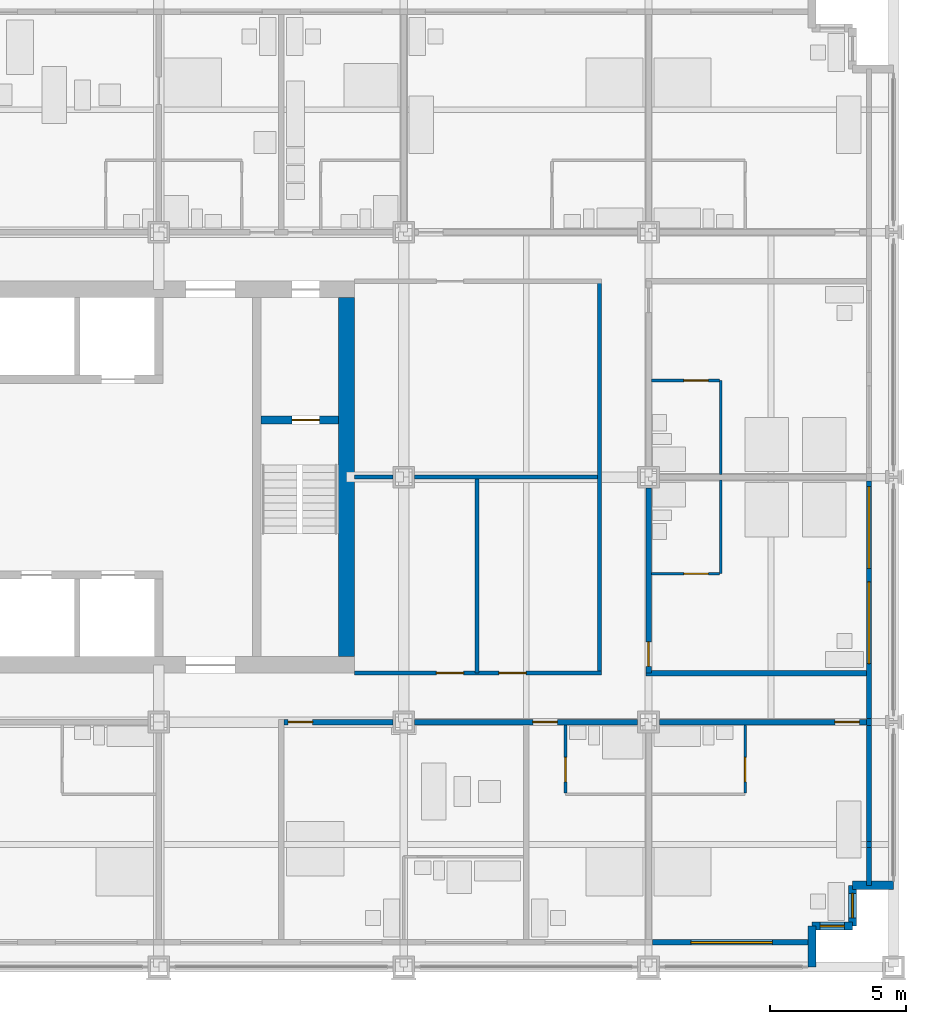
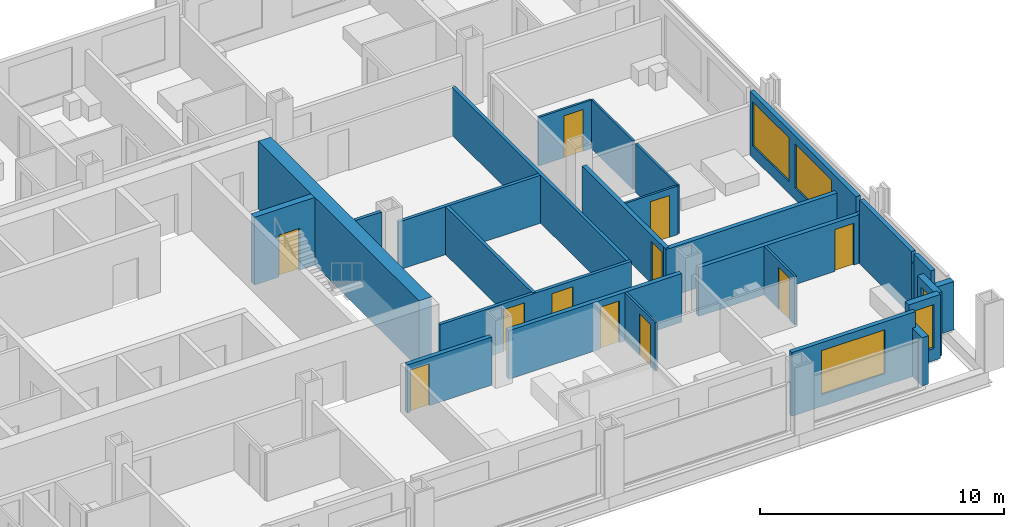
# One storey, part 13 of 18: 28 walls, 11 doors, 5 windows, 16 openings.
"""IFC4 building model written with IfcOpenShell, lengths in metres."""

from ifc_helpers import new_model, si_unit, direction, frame, frame_2d, origin, place, context, subcontext, project, spatial, rectangle, extrude, material, layer, layer_set, type_object, element, fill, save


model = new_model("IFC4")

# Units and contexts
model_context = context("Model", 3, precision=1e-05, world=origin(), true_north=direction((0.0, 1.0)))
body_context = subcontext(model_context, "Body", "Model", "MODEL_VIEW")
ifc_project = project(units=[si_unit("LENGTHUNIT", "METRE"), si_unit("AREAUNIT", "SQUARE_METRE"), si_unit("VOLUMEUNIT", "CUBIC_METRE"), si_unit("PLANEANGLEUNIT", "RADIAN"), si_unit("MASSUNIT", "GRAM", prefix="KILO")], contexts=[model_context])

# Site, building, storey
site_placement = place(None, origin())
site = spatial("IfcSite", under=ifc_project, at=site_placement, CompositionType="ELEMENT")
building_placement = place(site_placement, origin())
building = spatial("IfcBuilding", under=site, at=building_placement, Name="Loomwork Tower", CompositionType="ELEMENT")
storey_placement = place(building_placement, frame((0.0, 0.0, 31.39990234375)))
storey = spatial("IfcBuildingStorey", under=building, at=storey_placement, Name="L06", CompositionType="ELEMENT", Elevation=31.39990234375)

# Wall, opening, door
ifc_material_1 = material(Name="Concrete 14000 psi (97 MPa)", Category="concrete")
ifc_layer_1 = layer(ifc_material_1, 0.300048828125)
ifc_layer_set_1 = layer_set([ifc_layer_1], Name="Core shear wall 300")
wall_type_1 = type_object("IfcWallType", Name="Core shear wall 300", PredefinedType="SHEAR", material=ifc_layer_set_1)
wall_1_placement = place(storey_placement, frame((30.75, 20.10009765625, 0.0), z_axis=(0.0, 0.0, 1.0), x_axis=(1.0, 0.0, 0.0)))
wall_1 = element("IfcWall", 1, at=wall_1_placement, inside=storey, type_object=wall_type_1, Name="Stair B north wall L06", PredefinedType="SHEAR", context=body_context, shape_type="SweptSolid", body=[
    extrude(rectangle(XDim=2.85009765625, YDim=0.300048828125, at=frame_2d((1.425048828125, 0.0))), origin(), (0.0, 0.0, 1.0), 3.400146484375),
])
opening_1_placement = place(wall_1_placement, frame((1.14990234375, 0.0, 0.0)))
opening_1 = element("IfcOpeningElement", 2, at=opening_1_placement, cuts=wall_1, Name="Opening D4", PredefinedType="OPENING", context=body_context, shape_type="SweptSolid", body=[
    extrude(rectangle(XDim=1.0, YDim=2.10009765625, at=frame_2d((0.5, 1.050048828125))), frame((0.0, 0.159912109375, 0.0), z_axis=(0.0, -1.0, 0.0), x_axis=(1.0, 0.0, 0.0)), (0.0, 0.0, 1.0), 0.320068359375),
])
ifc_material_2 = material(Name="Hollow metal door and frame")
door_type_1 = type_object("IfcDoorType", Name="Stair door 1000", OperationType="SINGLE_SWING_RIGHT", PredefinedType="DOOR", material=ifc_material_2)
door_1_placement = place(opening_1_placement, frame((1.0, 0.0, 0.0), z_axis=(0.0, 0.0, 1.0), x_axis=(-1.0, 0.0, 0.0)))
door_1 = element("IfcDoor", 3, at=door_1_placement, inside=storey, type_object=door_type_1, Name="Stair B door", OperationType="SINGLE_SWING_LEFT", OverallHeight=2.10009765625, OverallWidth=1.0, PredefinedType="DOOR", context=body_context, shape_type="SweptSolid", body=[
    extrude(rectangle(XDim=1.0, YDim=2.10009765625, at=frame_2d((0.5, 1.050048828125))), frame((0.0, 0.02490234375, 0.0), z_axis=(0.0, -1.0, 0.0), x_axis=(1.0, 0.0, 0.0)), (0.0, 0.0, 1.0), 0.050048828125),
])
fill(opening_1, door_1)

# Wall
ifc_material_3 = material(Name="Concrete 14000 psi (97 MPa)", Category="concrete")
ifc_layer_2 = layer(ifc_material_3, 0.60009765625)
ifc_layer_set_2 = layer_set([ifc_layer_2], Name="Core shear wall 600")
wall_type_2 = type_object("IfcWallType", Name="Core shear wall 600", PredefinedType="SHEAR", material=ifc_layer_set_2)
wall_2_placement = place(storey_placement, frame((33.89990234375, 11.39990234375, 0.0), z_axis=(0.0, 0.0, 1.0), x_axis=(0.0, 1.0, 0.0)))
element("IfcWall", 4, at=wall_2_placement, inside=storey, type_object=wall_type_2, Name="Core wall east L06", PredefinedType="SHEAR", context=body_context, shape_type="SweptSolid", body=[
    extrude(rectangle(XDim=13.2001953125, YDim=0.60009765625, at=frame_2d((6.60009765625, 0.0))), origin(), (0.0, 0.0, 1.0), 3.400146484375),
])

# Wall, opening, door
ifc_material_4 = material(Name="Gypsum board on steel studs, one-hour", Category="steel")
ifc_layer_3 = layer(ifc_material_4, 0.199951171875)
ifc_layer_set_3 = layer_set([ifc_layer_3], Name="Corridor wall 200")
wall_type_3 = type_object("IfcWallType", Name="Corridor wall 200", PredefinedType="PARTITIONING", material=ifc_layer_set_3)
wall_3_placement = place(storey_placement, frame((31.60009765625, 9.0, 0.0), z_axis=(0.0, 0.0, 1.0), x_axis=(1.0, 0.0, 0.0)))
wall_3 = element("IfcWall", 5, at=wall_3_placement, inside=storey, type_object=wall_type_3, Name="South corridor wall 4", PredefinedType="PARTITIONING", context=body_context, shape_type="SweptSolid", body=[
    extrude(rectangle(XDim=4.0, YDim=0.199951171875, at=frame_2d((2.0, 0.0))), origin(), (0.0, 0.0, 1.0), 2.405029296875),
])
opening_2_placement = place(wall_3_placement, frame((0.14990234375, 0.0, 0.0)))
opening_2 = element("IfcOpeningElement", 6, at=opening_2_placement, cuts=wall_3, Name="Opening D1", PredefinedType="OPENING", context=body_context, shape_type="SweptSolid", body=[
    extrude(rectangle(XDim=0.89990234375, YDim=2.10009765625, at=frame_2d((0.449951171875, 1.050048828125))), frame((0.0, 0.10986328125, 0.0), z_axis=(0.0, -1.0, 0.0), x_axis=(1.0, 0.0, 0.0)), (0.0, 0.0, 1.0), 0.219970703125),
])
ifc_material_5 = material(Name="Hollow metal door and frame")
door_type_2 = type_object("IfcDoorType", Name="Guest room entry door 900", OperationType="SINGLE_SWING_LEFT", PredefinedType="DOOR", material=ifc_material_5)
door_2_placement = place(opening_2_placement, frame((0.89990234375, 0.0, 0.0), z_axis=(0.0, 0.0, 1.0), x_axis=(-1.0, 0.0, 0.0)))
door_2 = element("IfcDoor", 7, at=door_2_placement, inside=storey, type_object=door_type_2, Name="Guest room entry door L06 5", OperationType="SINGLE_SWING_RIGHT", OverallHeight=2.10009765625, OverallWidth=0.89990234375, PredefinedType="DOOR", context=body_context, shape_type="SweptSolid", body=[
    extrude(rectangle(XDim=0.89990234375, YDim=2.10009765625, at=frame_2d((0.449951171875, 1.050048828125))), frame((0.0, 0.02490234375, 0.0), z_axis=(0.0, -1.0, 0.0), x_axis=(1.0, 0.0, 0.0)), (0.0, 0.0, 1.0), 0.050048828125),
])
fill(opening_2, door_2)

wall_4_placement = place(storey_placement, frame((36.39990234375, 9.0, 0.0), z_axis=(0.0, 0.0, 1.0), x_axis=(1.0, 0.0, 0.0)))
wall_4 = element("IfcWall", 8, at=wall_4_placement, inside=storey, type_object=wall_type_3, Name="South corridor wall 5", PredefinedType="PARTITIONING", context=body_context, shape_type="SweptSolid", body=[
    extrude(rectangle(XDim=8.2001953125, YDim=0.199951171875, at=frame_2d((4.10009765625, 0.0))), origin(), (0.0, 0.0, 1.0), 2.43798828125),
])
opening_3_placement = place(wall_4_placement, frame((4.35009765625, 0.0, 0.0)))
opening_3 = element("IfcOpeningElement", 9, at=opening_3_placement, cuts=wall_4, Name="Opening D1", PredefinedType="OPENING", context=body_context, shape_type="SweptSolid", body=[
    extrude(rectangle(XDim=0.89990234375, YDim=2.10009765625, at=frame_2d((0.449951171875, 1.050048828125))), frame((0.0, 0.10986328125, 0.0), z_axis=(0.0, -1.0, 0.0), x_axis=(1.0, 0.0, 0.0)), (0.0, 0.0, 1.0), 0.219970703125),
])
door_3_placement = place(opening_3_placement, frame((0.89990234375, 0.0, 0.0), z_axis=(0.0, 0.0, 1.0), x_axis=(-1.0, 0.0, 0.0)))
door_3 = element("IfcDoor", 10, at=door_3_placement, inside=storey, type_object=door_type_2, Name="Guest room entry door L06 6", OperationType="SINGLE_SWING_RIGHT", OverallHeight=2.10009765625, OverallWidth=0.89990234375, PredefinedType="DOOR", context=body_context, shape_type="SweptSolid", body=[
    extrude(rectangle(XDim=0.89990234375, YDim=2.10009765625, at=frame_2d((0.449951171875, 1.050048828125))), frame((0.0, 0.02490234375, 0.0), z_axis=(0.0, -1.0, 0.0), x_axis=(1.0, 0.0, 0.0)), (0.0, 0.0, 1.0), 0.050048828125),
])
fill(opening_3, door_3)

wall_5_placement = place(storey_placement, frame((45.39990234375, 9.0, 0.0), z_axis=(0.0, 0.0, 1.0), x_axis=(1.0, 0.0, 0.0)))
wall_5 = element("IfcWall", 11, at=wall_5_placement, inside=storey, type_object=wall_type_3, Name="South corridor wall 6", PredefinedType="PARTITIONING", context=body_context, shape_type="SweptSolid", body=[
    extrude(rectangle(XDim=7.60009765625, YDim=0.199951171875, at=frame_2d((3.800048828125, 0.0))), origin(), (0.0, 0.0, 1.0), 2.43798828125),
])
opening_4_placement = place(wall_5_placement, frame((6.449951171875, 0.0, 0.0)))
opening_4 = element("IfcOpeningElement", 12, at=opening_4_placement, cuts=wall_5, Name="Opening D1", PredefinedType="OPENING", context=body_context, shape_type="SweptSolid", body=[
    extrude(rectangle(XDim=0.89990234375, YDim=2.10009765625, at=frame_2d((0.449951171875, 1.050048828125))), frame((0.0, 0.10986328125, 0.0), z_axis=(0.0, -1.0, 0.0), x_axis=(1.0, 0.0, 0.0)), (0.0, 0.0, 1.0), 0.219970703125),
])
door_4_placement = place(opening_4_placement, frame((0.89990234375, 0.0, 0.0), z_axis=(0.0, 0.0, 1.0), x_axis=(-1.0, 0.0, 0.0)))
door_4 = element("IfcDoor", 13, at=door_4_placement, inside=storey, type_object=door_type_2, Name="Guest room entry door L06 7", OperationType="SINGLE_SWING_LEFT", OverallHeight=2.10009765625, OverallWidth=0.89990234375, PredefinedType="DOOR", context=body_context, shape_type="SweptSolid", body=[
    extrude(rectangle(XDim=0.89990234375, YDim=2.10009765625, at=frame_2d((0.449951171875, 1.050048828125))), frame((0.0, 0.02490234375, 0.0), z_axis=(0.0, -1.0, 0.0), x_axis=(1.0, 0.0, 0.0)), (0.0, 0.0, 1.0), 0.050048828125),
])
fill(opening_4, door_4)

wall_6_placement = place(storey_placement, frame((45.0, 10.800048828125, 0.0), z_axis=(0.0, 0.0, 1.0), x_axis=(0.0, 1.0, 0.0)))
wall_6 = element("IfcWall", 14, at=wall_6_placement, inside=storey, type_object=wall_type_3, Name="East corridor wall 1", PredefinedType="PARTITIONING", context=body_context, shape_type="SweptSolid", body=[
    extrude(rectangle(XDim=6.800048828125, YDim=0.199951171875, at=frame_2d((3.39990234375, 0.0))), origin(), (0.0, 0.0, 1.0), 2.43798828125),
])
opening_5_placement = place(wall_6_placement, frame((0.25, 0.0, 0.0)))
opening_5 = element("IfcOpeningElement", 15, at=opening_5_placement, cuts=wall_6, Name="Opening D1", PredefinedType="OPENING", context=body_context, shape_type="SweptSolid", body=[
    extrude(rectangle(XDim=0.89990234375, YDim=2.10009765625, at=frame_2d((0.449951171875, 1.050048828125))), frame((0.0, 0.10986328125, 0.0), z_axis=(0.0, -1.0, 0.0), x_axis=(1.0, 0.0, 0.0)), (0.0, 0.0, 1.0), 0.219970703125),
])
door_5_placement = place(opening_5_placement, frame((0.89990234375, 0.0, 0.0), z_axis=(0.0, 0.0, 1.0), x_axis=(-1.0, 0.0, 0.0)))
door_5 = element("IfcDoor", 16, at=door_5_placement, inside=storey, type_object=door_type_2, Name="Guest room entry door L06 18", OperationType="SINGLE_SWING_RIGHT", OverallHeight=2.10009765625, OverallWidth=0.89990234375, PredefinedType="DOOR", context=body_context, shape_type="SweptSolid", body=[
    extrude(rectangle(XDim=0.89990234375, YDim=2.10009765625, at=frame_2d((0.449951171875, 1.050048828125))), frame((0.0, 0.02490234375, 0.0), z_axis=(0.0, -1.0, 0.0), x_axis=(1.0, 0.0, 0.0)), (0.0, 0.0, 1.0), 0.050048828125),
])
fill(opening_5, door_5)

# Wall
wall_7_placement = place(storey_placement, frame((44.89990234375, 10.800048828125, 0.0), z_axis=(0.0, 0.0, 1.0), x_axis=(1.0, 0.0, 0.0)))
element("IfcWall", 17, at=wall_7_placement, inside=storey, type_object=wall_type_3, Name="East band end wall S", PredefinedType="PARTITIONING", context=body_context, shape_type="SweptSolid", body=[
    extrude(rectangle(XDim=8.10009765625, YDim=0.199951171875, at=frame_2d((4.050048828125, 0.0))), origin(), (0.0, 0.0, 1.0), 2.43798828125),
])

# Wall, opening, door
ifc_material_6 = material(Name="Cement board on steel studs", Category="steel")
ifc_layer_4 = layer(ifc_material_6, 0.10009765625)
ifc_layer_set_4 = layer_set([ifc_layer_4], Name="En-suite partition 100")
wall_type_4 = type_object("IfcWallType", Name="En-suite partition 100", PredefinedType="PARTITIONING", material=ifc_layer_set_4)
wall_8_placement = place(storey_placement, frame((41.949951171875, 8.89990234375, 0.0), z_axis=(0.0, 0.0, 1.0), x_axis=(0.0, -1.0, 0.0)))
wall_8 = element("IfcWall", 18, at=wall_8_placement, inside=storey, type_object=wall_type_4, Name="En-suite side wall L06 room 6", PredefinedType="PARTITIONING", context=body_context, shape_type="SweptSolid", body=[
    extrude(rectangle(XDim=2.5, YDim=0.10009765625, at=frame_2d((1.25, 0.0))), origin(), (0.0, 0.0, 1.0), 2.43798828125),
])
opening_6_placement = place(wall_8_placement, frame((1.199951171875, 0.0, 0.0)))
opening_6 = element("IfcOpeningElement", 19, at=opening_6_placement, cuts=wall_8, Name="Opening D3", PredefinedType="OPENING", context=body_context, shape_type="SweptSolid", body=[
    extrude(rectangle(XDim=0.89990234375, YDim=2.10009765625, at=frame_2d((0.449951171875, 1.050048828125))), frame((0.0, 0.06005859375, 0.0), z_axis=(0.0, -1.0, 0.0), x_axis=(1.0, 0.0, 0.0)), (0.0, 0.0, 1.0), 0.1201171875),
])
ifc_material_7 = material(Name="Hollow metal door and frame")
door_type_3 = type_object("IfcDoorType", Name="Accessible en-suite door 900", OperationType="SLIDING_TO_LEFT", PredefinedType="DOOR", material=ifc_material_7)
door_6_placement = place(opening_6_placement, origin())
door_6 = element("IfcDoor", 20, at=door_6_placement, inside=storey, type_object=door_type_3, Name="Accessible en-suite door room 6", OperationType="SLIDING_TO_LEFT", OverallHeight=2.10009765625, OverallWidth=0.89990234375, PredefinedType="DOOR", context=body_context, shape_type="SweptSolid", body=[
    extrude(rectangle(XDim=0.89990234375, YDim=2.10009765625, at=frame_2d((0.449951171875, 1.050048828125))), frame((0.0, 0.02490234375, 0.0), z_axis=(0.0, -1.0, 0.0), x_axis=(1.0, 0.0, 0.0)), (0.0, 0.0, 1.0), 0.050048828125),
])
fill(opening_6, door_6)

wall_9_placement = place(storey_placement, frame((48.550048828125, 8.89990234375, 0.0), z_axis=(0.0, 0.0, 1.0), x_axis=(0.0, -1.0, 0.0)))
wall_9 = element("IfcWall", 21, at=wall_9_placement, inside=storey, type_object=wall_type_4, Name="En-suite side wall L06 room 7", PredefinedType="PARTITIONING", context=body_context, shape_type="SweptSolid", body=[
    extrude(rectangle(XDim=2.5, YDim=0.10009765625, at=frame_2d((1.25, 0.0))), origin(), (0.0, 0.0, 1.0), 2.43798828125),
])
opening_7_placement = place(wall_9_placement, frame((1.199951171875, 0.0, 0.0)))
opening_7 = element("IfcOpeningElement", 22, at=opening_7_placement, cuts=wall_9, Name="Opening D2", PredefinedType="OPENING", context=body_context, shape_type="SweptSolid", body=[
    extrude(rectangle(XDim=0.89990234375, YDim=2.10009765625, at=frame_2d((0.449951171875, 1.050048828125))), frame((0.0, 0.06005859375, 0.0), z_axis=(0.0, -1.0, 0.0), x_axis=(1.0, 0.0, 0.0)), (0.0, 0.0, 1.0), 0.1201171875),
])
ifc_material_8 = material(Name="Hollow metal door and frame")
door_type_4 = type_object("IfcDoorType", Name="En-suite door 900", OperationType="SINGLE_SWING_LEFT", PredefinedType="DOOR", material=ifc_material_8)
door_7_placement = place(opening_7_placement, frame((0.89990234375, 0.0, 0.0), z_axis=(0.0, 0.0, 1.0), x_axis=(-1.0, 0.0, 0.0)))
door_7 = element("IfcDoor", 23, at=door_7_placement, inside=storey, type_object=door_type_4, Name="En-suite door room 7", OperationType="SINGLE_SWING_LEFT", OverallHeight=2.10009765625, OverallWidth=0.89990234375, PredefinedType="DOOR", context=body_context, shape_type="SweptSolid", body=[
    extrude(rectangle(XDim=0.89990234375, YDim=2.10009765625, at=frame_2d((0.449951171875, 1.050048828125))), frame((0.0, 0.02490234375, 0.0), z_axis=(0.0, -1.0, 0.0), x_axis=(1.0, 0.0, 0.0)), (0.0, 0.0, 1.0), 0.050048828125),
])
fill(opening_7, door_7)

# Wall
wall_10_placement = place(storey_placement, frame((47.64990234375, 14.449951171875, 0.0), z_axis=(0.0, 0.0, 1.0), x_axis=(0.0, 1.0, 0.0)))
element("IfcWall", 24, at=wall_10_placement, inside=storey, type_object=wall_type_4, Name="En-suite wall L06 room 18", PredefinedType="PARTITIONING", context=body_context, shape_type="SweptSolid", body=[
    extrude(rectangle(XDim=3.449951171875, YDim=0.10009765625, at=frame_2d((1.72509765625, 0.0))), origin(), (0.0, 0.0, 1.0), 2.43798828125),
])

# Wall, opening, door
wall_11_placement = place(storey_placement, frame((45.10009765625, 14.449951171875, 0.0), z_axis=(0.0, 0.0, 1.0), x_axis=(1.0, 0.0, 0.0)))
wall_11 = element("IfcWall", 25, at=wall_11_placement, inside=storey, type_object=wall_type_4, Name="En-suite side wall L06 room 18", PredefinedType="PARTITIONING", context=body_context, shape_type="SweptSolid", body=[
    extrude(rectangle(XDim=2.5, YDim=0.10009765625, at=frame_2d((1.25, 0.0))), origin(), (0.0, 0.0, 1.0), 2.43798828125),
])
opening_8_placement = place(wall_11_placement, frame((1.199951171875, 0.0, 0.0)))
opening_8 = element("IfcOpeningElement", 26, at=opening_8_placement, cuts=wall_11, Name="Opening D2", PredefinedType="OPENING", context=body_context, shape_type="SweptSolid", body=[
    extrude(rectangle(XDim=0.89990234375, YDim=2.10009765625, at=frame_2d((0.449951171875, 1.050048828125))), frame((0.0, 0.06005859375, 0.0), z_axis=(0.0, -1.0, 0.0), x_axis=(1.0, 0.0, 0.0)), (0.0, 0.0, 1.0), 0.1201171875),
])
door_8_placement = place(opening_8_placement, origin())
door_8 = element("IfcDoor", 27, at=door_8_placement, inside=storey, type_object=door_type_4, Name="En-suite door room 18", OperationType="SINGLE_SWING_RIGHT", OverallHeight=2.10009765625, OverallWidth=0.89990234375, PredefinedType="DOOR", context=body_context, shape_type="SweptSolid", body=[
    extrude(rectangle(XDim=0.89990234375, YDim=2.10009765625, at=frame_2d((0.449951171875, 1.050048828125))), frame((0.0, 0.02490234375, 0.0), z_axis=(0.0, -1.0, 0.0), x_axis=(1.0, 0.0, 0.0)), (0.0, 0.0, 1.0), 0.050048828125),
])
fill(opening_8, door_8)

# Wall
wall_12_placement = place(storey_placement, frame((47.64990234375, 18.10009765625, 0.0), z_axis=(0.0, 0.0, 1.0), x_axis=(0.0, 1.0, 0.0)))
element("IfcWall", 28, at=wall_12_placement, inside=storey, type_object=wall_type_4, Name="En-suite wall L06 room 19", PredefinedType="PARTITIONING", context=body_context, shape_type="SweptSolid", body=[
    extrude(rectangle(XDim=3.449951171875, YDim=0.10009765625, at=frame_2d((1.72509765625, 0.0))), origin(), (0.0, 0.0, 1.0), 2.43798828125),
])

# Wall, opening, door
wall_13_placement = place(storey_placement, frame((45.10009765625, 21.550048828125, 0.0), z_axis=(0.0, 0.0, 1.0), x_axis=(1.0, 0.0, 0.0)))
wall_13 = element("IfcWall", 29, at=wall_13_placement, inside=storey, type_object=wall_type_4, Name="En-suite side wall L06 room 19", PredefinedType="PARTITIONING", context=body_context, shape_type="SweptSolid", body=[
    extrude(rectangle(XDim=2.5, YDim=0.10009765625, at=frame_2d((1.25, 0.0))), origin(), (0.0, 0.0, 1.0), 2.43798828125),
])
opening_9_placement = place(wall_13_placement, frame((1.199951171875, 0.0, 0.0)))
opening_9 = element("IfcOpeningElement", 30, at=opening_9_placement, cuts=wall_13, Name="Opening D2", PredefinedType="OPENING", context=body_context, shape_type="SweptSolid", body=[
    extrude(rectangle(XDim=0.89990234375, YDim=2.10009765625, at=frame_2d((0.449951171875, 1.050048828125))), frame((0.0, 0.06005859375, 0.0), z_axis=(0.0, -1.0, 0.0), x_axis=(1.0, 0.0, 0.0)), (0.0, 0.0, 1.0), 0.1201171875),
])
door_9_placement = place(opening_9_placement, frame((0.89990234375, 0.0, 0.0), z_axis=(0.0, 0.0, 1.0), x_axis=(-1.0, 0.0, 0.0)))
door_9 = element("IfcDoor", 31, at=door_9_placement, inside=storey, type_object=door_type_4, Name="En-suite door room 19", OperationType="SINGLE_SWING_LEFT", OverallHeight=2.10009765625, OverallWidth=0.89990234375, PredefinedType="DOOR", context=body_context, shape_type="SweptSolid", body=[
    extrude(rectangle(XDim=0.89990234375, YDim=2.10009765625, at=frame_2d((0.449951171875, 1.050048828125))), frame((0.0, 0.02490234375, 0.0), z_axis=(0.0, -1.0, 0.0), x_axis=(1.0, 0.0, 0.0)), (0.0, 0.0, 1.0), 0.050048828125),
])
fill(opening_9, door_9)

# Wall
ifc_material_9 = material(Name="Insulated steel stud wall with gypsum lining", Category="steel")
ifc_layer_5 = layer(ifc_material_9, 0.199951171875)
ifc_layer_set_5 = layer_set([ifc_layer_5], Name="Inner skin wall 200")
wall_type_5 = type_object("IfcWallType", Name="Inner skin wall 200", PredefinedType="SOLIDWALL", material=ifc_layer_set_5)
wall_14_placement = place(storey_placement, frame((53.10009765625, 3.0, 0.0), z_axis=(0.0, 0.0, 1.0), x_axis=(0.0, 1.0, 0.0)))
element("IfcWall", 32, at=wall_14_placement, inside=storey, type_object=wall_type_5, Name="Inner skin wall E", PredefinedType="SOLIDWALL", context=body_context, shape_type="SweptSolid", body=[
    extrude(rectangle(XDim=1.392578125, YDim=0.199951171875, at=frame_2d((0.6962890625, 0.0))), origin(), (0.0, 0.0, 1.0), 3.2001953125),
])

# Wall, opening, window
wall_15_placement = place(storey_placement, frame((45.135498046875, 0.89990234375, 0.0), z_axis=(0.0, 0.0, 1.0), x_axis=(1.0, 0.0, 0.0)))
wall_15 = element("IfcWall", 33, at=wall_15_placement, inside=storey, type_object=wall_type_5, Name="Inner skin wall S bay 11", PredefinedType="SOLIDWALL", context=body_context, shape_type="SweptSolid", body=[
    extrude(rectangle(XDim=5.864501953125, YDim=0.199951171875, at=frame_2d((2.93212890625, 0.0))), origin(), (0.0, 0.0, 1.0), 3.2001953125),
])
opening_10_placement = place(wall_15_placement, frame((1.41455078125, 0.0, 0.60009765625)))
opening_10 = element("IfcOpeningElement", 34, at=opening_10_placement, cuts=wall_15, Name="Opening CH1", PredefinedType="OPENING", context=body_context, shape_type="SweptSolid", body=[
    extrude(rectangle(XDim=3.0, YDim=2.199951171875, at=frame_2d((1.5, 1.10009765625))), frame((0.0, 0.10986328125, 0.0), z_axis=(0.0, -1.0, 0.0), x_axis=(1.0, 0.0, 0.0)), (0.0, 0.0, 1.0), 0.219970703125),
])
ifc_material_10 = material(Name="Aluminium frame with clear insulated glass", Category="aluminium")
window_type_1 = type_object("IfcWindowType", Name="Chicago window 3000", PartitioningType="TRIPLE_PANEL_VERTICAL", PredefinedType="WINDOW", material=ifc_material_10)
window_1_placement = place(opening_10_placement, origin())
window_1 = element("IfcWindow", 35, at=window_1_placement, inside=storey, type_object=window_type_1, Name="Chicago window L06 bay 6", OverallHeight=2.199951171875, OverallWidth=3.0, PartitioningType="TRIPLE_PANEL_VERTICAL", PredefinedType="WINDOW", context=body_context, shape_type="SweptSolid", body=[
    extrude(rectangle(XDim=3.0, YDim=2.199951171875, at=frame_2d((1.5, 1.10009765625))), frame((0.0, 0.030029296875, 0.0), z_axis=(0.0, -1.0, 0.0), x_axis=(1.0, 0.0, 0.0)), (0.0, 0.0, 1.0), 0.06005859375),
])
fill(opening_10, window_1)

# Walls
wall_16_placement = place(storey_placement, frame((53.10009765625, 4.392578125, 0.0), z_axis=(0.0, 0.0, 1.0), x_axis=(0.0, 1.0, 0.0)))
element("IfcWall", 36, at=wall_16_placement, inside=storey, type_object=wall_type_5, Name="Inner skin wall E bay 2", PredefinedType="SOLIDWALL", context=body_context, shape_type="SweptSolid", body=[
    extrude(rectangle(XDim=0.21484375, YDim=0.199951171875, at=frame_2d((0.107421875, 0.0))), origin(), (0.0, 0.0, 1.0), 2.6611328125),
])
wall_17_placement = place(storey_placement, frame((53.10009765625, 4.607421875, 0.0), z_axis=(0.0, 0.0, 1.0), x_axis=(0.0, 1.0, 0.0)))
element("IfcWall", 37, at=wall_17_placement, inside=storey, type_object=wall_type_5, Name="Inner skin wall E bay 3", PredefinedType="SOLIDWALL", context=body_context, shape_type="SweptSolid", body=[
    extrude(rectangle(XDim=4.25732421875, YDim=0.199951171875, at=frame_2d((2.128662109375, 0.0))), origin(), (0.0, 0.0, 1.0), 3.2001953125),
])
wall_18_placement = place(storey_placement, frame((53.10009765625, 8.86474609375, 0.0), z_axis=(0.0, 0.0, 1.0), x_axis=(0.0, 1.0, 0.0)))
element("IfcWall", 38, at=wall_18_placement, inside=storey, type_object=wall_type_5, Name="Inner skin wall E bay 4", PredefinedType="SOLIDWALL", context=body_context, shape_type="SweptSolid", body=[
    extrude(rectangle(XDim=0.2705078125, YDim=0.199951171875, at=frame_2d((0.13525390625, 0.0))), origin(), (0.0, 0.0, 1.0), 2.43798828125),
])

# Wall, openings, windows
wall_19_placement = place(storey_placement, frame((53.10009765625, 9.13525390625, 0.0), z_axis=(0.0, 0.0, 1.0), x_axis=(0.0, 1.0, 0.0)))
wall_19 = element("IfcWall", 39, at=wall_19_placement, inside=storey, type_object=wall_type_5, Name="Inner skin wall E bay 5", PredefinedType="SOLIDWALL", context=body_context, shape_type="SweptSolid", body=[
    extrude(rectangle(XDim=8.729248046875, YDim=0.199951171875, at=frame_2d((4.36474609375, 0.0))), origin(), (0.0, 0.0, 1.0), 3.2001953125),
])
opening_11_placement = place(wall_19_placement, frame((2.0146484375, 0.0, 0.60009765625)))
opening_11 = element("IfcOpeningElement", 40, at=opening_11_placement, cuts=wall_19, Name="Opening CH1", PredefinedType="OPENING", context=body_context, shape_type="SweptSolid", body=[
    extrude(rectangle(XDim=3.0, YDim=2.199951171875, at=frame_2d((1.5, 1.10009765625))), frame((0.0, 0.10986328125, 0.0), z_axis=(0.0, -1.0, 0.0), x_axis=(1.0, 0.0, 0.0)), (0.0, 0.0, 1.0), 0.219970703125),
])
opening_12_placement = place(wall_19_placement, frame((5.5146484375, 0.0, 0.60009765625)))
opening_12 = element("IfcOpeningElement", 41, at=opening_12_placement, cuts=wall_19, Name="Opening CH1", PredefinedType="OPENING", context=body_context, shape_type="SweptSolid", body=[
    extrude(rectangle(XDim=3.0, YDim=2.199951171875, at=frame_2d((1.5, 1.10009765625))), frame((0.0, 0.10986328125, 0.0), z_axis=(0.0, -1.0, 0.0), x_axis=(1.0, 0.0, 0.0)), (0.0, 0.0, 1.0), 0.219970703125),
])
window_2_placement = place(opening_11_placement, origin())
window_2 = element("IfcWindow", 42, at=window_2_placement, inside=storey, type_object=window_type_1, Name="Chicago window L06 bay 15", OverallHeight=2.199951171875, OverallWidth=3.0, PartitioningType="TRIPLE_PANEL_VERTICAL", PredefinedType="WINDOW", context=body_context, shape_type="SweptSolid", body=[
    extrude(rectangle(XDim=3.0, YDim=2.199951171875, at=frame_2d((1.5, 1.10009765625))), frame((0.0, 0.030029296875, 0.0), z_axis=(0.0, -1.0, 0.0), x_axis=(1.0, 0.0, 0.0)), (0.0, 0.0, 1.0), 0.06005859375),
])
fill(opening_11, window_2)
window_3_placement = place(opening_12_placement, origin())
window_3 = element("IfcWindow", 43, at=window_3_placement, inside=storey, type_object=window_type_1, Name="Chicago window L06 bay 15", OverallHeight=2.199951171875, OverallWidth=3.0, PartitioningType="TRIPLE_PANEL_VERTICAL", PredefinedType="WINDOW", context=body_context, shape_type="SweptSolid", body=[
    extrude(rectangle(XDim=3.0, YDim=2.199951171875, at=frame_2d((1.5, 1.10009765625))), frame((0.0, 0.030029296875, 0.0), z_axis=(0.0, -1.0, 0.0), x_axis=(1.0, 0.0, 0.0)), (0.0, 0.0, 1.0), 0.06005859375),
])
fill(opening_12, window_3)

# Wall
ifc_material_11 = material(Name="Limestone on concrete masonry", Category="masonry")
ifc_layer_6 = layer(ifc_material_11, 0.300048828125)
ifc_layer_set_6 = layer_set([ifc_layer_6], Name="Limestone corner wall 300")
wall_type_6 = type_object("IfcWallType", Name="Limestone corner wall 300", PredefinedType="SOLIDWALL", material=ifc_layer_set_6)
wall_20_placement = place(storey_placement, frame((51.0, 0.0, 0.0), z_axis=(0.0, 0.0, 1.0), x_axis=(0.0, 1.0, 0.0)))
element("IfcWall", 44, at=wall_20_placement, inside=storey, type_object=wall_type_6, Name="Stone corner wall SE 1", PredefinedType="SOLIDWALL", context=body_context, shape_type="SweptSolid", body=[
    extrude(rectangle(XDim=1.5, YDim=0.300048828125, at=frame_2d((0.75, 0.0))), origin(), (0.0, 0.0, 1.0), 2.420166015625),
])

# Wall, opening, window
wall_21_placement = place(storey_placement, frame((51.0, 1.5, 0.0), z_axis=(0.0, 0.0, 1.0), x_axis=(1.0, 0.0, 0.0)))
wall_21 = element("IfcWall", 45, at=wall_21_placement, inside=storey, type_object=wall_type_6, Name="Stone corner wall SE 2", PredefinedType="SOLIDWALL", context=body_context, shape_type="SweptSolid", body=[
    extrude(rectangle(XDim=1.5, YDim=0.300048828125, at=frame_2d((0.75, 0.0))), origin(), (0.0, 0.0, 1.0), 3.2001953125),
])
opening_13_placement = place(wall_21_placement, frame((0.300048828125, 0.0, 0.60009765625)))
opening_13 = element("IfcOpeningElement", 46, at=opening_13_placement, cuts=wall_21, Name="Opening CH2", PredefinedType="OPENING", context=body_context, shape_type="SweptSolid", body=[
    extrude(rectangle(XDim=0.89990234375, YDim=2.199951171875, at=frame_2d((0.449951171875, 1.10009765625))), frame((0.0, 0.159912109375, 0.0), z_axis=(0.0, -1.0, 0.0), x_axis=(1.0, 0.0, 0.0)), (0.0, 0.0, 1.0), 0.320068359375),
])
ifc_material_12 = material(Name="Aluminium frame with clear insulated glass", Category="aluminium")
window_type_2 = type_object("IfcWindowType", Name="Corner window 900", PartitioningType="SINGLE_PANEL", PredefinedType="WINDOW", material=ifc_material_12)
window_4_placement = place(opening_13_placement, origin())
window_4 = element("IfcWindow", 47, at=window_4_placement, inside=storey, type_object=window_type_2, Name="Corner window SE", OverallHeight=2.199951171875, OverallWidth=0.89990234375, PartitioningType="SINGLE_PANEL", PredefinedType="WINDOW", context=body_context, shape_type="SweptSolid", body=[
    extrude(rectangle(XDim=0.89990234375, YDim=2.199951171875, at=frame_2d((0.449951171875, 1.10009765625))), frame((0.0, 0.030029296875, 0.0), z_axis=(0.0, -1.0, 0.0), x_axis=(1.0, 0.0, 0.0)), (0.0, 0.0, 1.0), 0.06005859375),
])
fill(opening_13, window_4)

wall_22_placement = place(storey_placement, frame((52.5, 1.5, 0.0), z_axis=(0.0, 0.0, 1.0), x_axis=(0.0, 1.0, 0.0)))
wall_22 = element("IfcWall", 48, at=wall_22_placement, inside=storey, type_object=wall_type_6, Name="Stone corner wall SE 3", PredefinedType="SOLIDWALL", context=body_context, shape_type="SweptSolid", body=[
    extrude(rectangle(XDim=1.5, YDim=0.300048828125, at=frame_2d((0.75, 0.0))), origin(), (0.0, 0.0, 1.0), 3.2001953125),
])
opening_14_placement = place(wall_22_placement, frame((0.300048828125, 0.0, 0.60009765625)))
opening_14 = element("IfcOpeningElement", 49, at=opening_14_placement, cuts=wall_22, Name="Opening CH2", PredefinedType="OPENING", context=body_context, shape_type="SweptSolid", body=[
    extrude(rectangle(XDim=0.89990234375, YDim=2.199951171875, at=frame_2d((0.449951171875, 1.10009765625))), frame((0.0, 0.159912109375, 0.0), z_axis=(0.0, -1.0, 0.0), x_axis=(1.0, 0.0, 0.0)), (0.0, 0.0, 1.0), 0.320068359375),
])
window_5_placement = place(opening_14_placement, origin())
window_5 = element("IfcWindow", 50, at=window_5_placement, inside=storey, type_object=window_type_2, Name="Corner window SE", OverallHeight=2.199951171875, OverallWidth=0.89990234375, PartitioningType="SINGLE_PANEL", PredefinedType="WINDOW", context=body_context, shape_type="SweptSolid", body=[
    extrude(rectangle(XDim=0.89990234375, YDim=2.199951171875, at=frame_2d((0.449951171875, 1.10009765625))), frame((0.0, 0.030029296875, 0.0), z_axis=(0.0, -1.0, 0.0), x_axis=(1.0, 0.0, 0.0)), (0.0, 0.0, 1.0), 0.06005859375),
])
fill(opening_14, window_5)

# Wall
wall_23_placement = place(storey_placement, frame((52.5, 3.0, 0.0), z_axis=(0.0, 0.0, 1.0), x_axis=(1.0, 0.0, 0.0)))
element("IfcWall", 51, at=wall_23_placement, inside=storey, type_object=wall_type_6, Name="Stone corner wall SE 4", PredefinedType="SOLIDWALL", context=body_context, shape_type="SweptSolid", body=[
    extrude(rectangle(XDim=1.5, YDim=0.300048828125, at=frame_2d((0.75, 0.0))), origin(), (0.0, 0.0, 1.0), 2.420166015625),
])

# Wall, openings, doors
ifc_material_13 = material(Name="Gypsum board on steel studs, one-hour", Category="steel")
ifc_layer_7 = layer(ifc_material_13, 0.14990234375)
ifc_layer_set_7 = layer_set([ifc_layer_7], Name="Service partition 150")
wall_type_7 = type_object("IfcWallType", Name="Service partition 150", PredefinedType="PARTITIONING", material=ifc_layer_set_7)
wall_24_placement = place(storey_placement, frame((34.199951171875, 10.800048828125, 0.0), z_axis=(0.0, 0.0, 1.0), x_axis=(1.0, 0.0, 0.0)))
wall_24 = element("IfcWall", 52, at=wall_24_placement, inside=storey, type_object=wall_type_7, Name="Service block wall S", PredefinedType="PARTITIONING", context=body_context, shape_type="SweptSolid", body=[
    extrude(rectangle(XDim=9.074951171875, YDim=0.14990234375, at=frame_2d((4.53759765625, 0.0))), origin(), (0.0, 0.0, 1.0), 2.404052734375),
])
opening_15_placement = place(wall_24_placement, frame((5.300048828125, 0.0, 0.0)))
opening_15 = element("IfcOpeningElement", 53, at=opening_15_placement, cuts=wall_24, Name="Opening D5", PredefinedType="OPENING", context=body_context, shape_type="SweptSolid", body=[
    extrude(rectangle(XDim=1.0, YDim=2.10009765625, at=frame_2d((0.5, 1.050048828125))), frame((0.0, 0.0849609375, 0.0), z_axis=(0.0, -1.0, 0.0), x_axis=(1.0, 0.0, 0.0)), (0.0, 0.0, 1.0), 0.169921875),
])
opening_16_placement = place(wall_24_placement, frame((3.0, 0.0, 0.0)))
opening_16 = element("IfcOpeningElement", 54, at=opening_16_placement, cuts=wall_24, Name="Opening D5", PredefinedType="OPENING", context=body_context, shape_type="SweptSolid", body=[
    extrude(rectangle(XDim=1.0, YDim=2.10009765625, at=frame_2d((0.5, 1.050048828125))), frame((0.0, 0.0849609375, 0.0), z_axis=(0.0, -1.0, 0.0), x_axis=(1.0, 0.0, 0.0)), (0.0, 0.0, 1.0), 0.169921875),
])
ifc_material_14 = material(Name="Hollow metal door and frame")
door_type_5 = type_object("IfcDoorType", Name="Service door 1000", OperationType="SINGLE_SWING_LEFT", PredefinedType="DOOR", material=ifc_material_14)
door_10_placement = place(opening_15_placement, origin())
door_10 = element("IfcDoor", 55, at=door_10_placement, inside=storey, type_object=door_type_5, Name="Linen store door", OperationType="SINGLE_SWING_LEFT", OverallHeight=2.10009765625, OverallWidth=1.0, PredefinedType="DOOR", context=body_context, shape_type="SweptSolid", body=[
    extrude(rectangle(XDim=1.0, YDim=2.10009765625, at=frame_2d((0.5, 1.050048828125))), frame((0.0, 0.02490234375, 0.0), z_axis=(0.0, -1.0, 0.0), x_axis=(1.0, 0.0, 0.0)), (0.0, 0.0, 1.0), 0.050048828125),
])
fill(opening_15, door_10)
door_11_placement = place(opening_16_placement, origin())
door_11 = element("IfcDoor", 56, at=door_11_placement, inside=storey, type_object=door_type_5, Name="Housekeeping store door", OperationType="SINGLE_SWING_RIGHT", OverallHeight=2.10009765625, OverallWidth=1.0, PredefinedType="DOOR", context=body_context, shape_type="SweptSolid", body=[
    extrude(rectangle(XDim=1.0, YDim=2.10009765625, at=frame_2d((0.5, 1.050048828125))), frame((0.0, 0.02490234375, 0.0), z_axis=(0.0, -1.0, 0.0), x_axis=(1.0, 0.0, 0.0)), (0.0, 0.0, 1.0), 0.050048828125),
])
fill(opening_16, door_11)

# Walls
wall_25_placement = place(storey_placement, frame((43.199951171875, 10.800048828125, 0.0), z_axis=(0.0, 0.0, 1.0), x_axis=(0.0, 1.0, 0.0)))
element("IfcWall", 57, at=wall_25_placement, inside=storey, type_object=wall_type_7, Name="Service block east wall", PredefinedType="PARTITIONING", context=body_context, shape_type="SweptSolid", body=[
    extrude(rectangle(XDim=14.39990234375, YDim=0.14990234375, at=frame_2d((7.199951171875, 0.0))), origin(), (0.0, 0.0, 1.0), 2.404052734375),
])
wall_26_placement = place(storey_placement, frame((34.199951171875, 18.0, 0.0), z_axis=(0.0, 0.0, 1.0), x_axis=(1.0, 0.0, 0.0)))
element("IfcWall", 58, at=wall_26_placement, inside=storey, type_object=wall_type_7, Name="Service block divider", PredefinedType="PARTITIONING", context=body_context, shape_type="SweptSolid", body=[
    extrude(rectangle(XDim=1.400146484375, YDim=0.14990234375, at=frame_2d((0.7001953125, 0.0))), origin(), (0.0, 0.0, 1.0), 3.2001953125),
])
wall_27_placement = place(storey_placement, frame((36.39990234375, 18.0, 0.0), z_axis=(0.0, 0.0, 1.0), x_axis=(1.0, 0.0, 0.0)))
element("IfcWall", 59, at=wall_27_placement, inside=storey, type_object=wall_type_7, Name="Service block divider", PredefinedType="PARTITIONING", context=body_context, shape_type="SweptSolid", body=[
    extrude(rectangle(XDim=6.72509765625, YDim=0.14990234375, at=frame_2d((3.362548828125, 0.0))), origin(), (0.0, 0.0, 1.0), 2.405029296875),
])
wall_28_placement = place(storey_placement, frame((38.699951171875, 10.800048828125, 0.0), z_axis=(0.0, 0.0, 1.0), x_axis=(0.0, 1.0, 0.0)))
element("IfcWall", 60, at=wall_28_placement, inside=storey, type_object=wall_type_7, Name="Housekeeping partition L06", PredefinedType="PARTITIONING", context=body_context, shape_type="SweptSolid", body=[
    extrude(rectangle(XDim=7.199951171875, YDim=0.14990234375, at=frame_2d((3.60009765625, 0.0))), origin(), (0.0, 0.0, 1.0), 2.404052734375),
])

save(model, "model.ifc")
